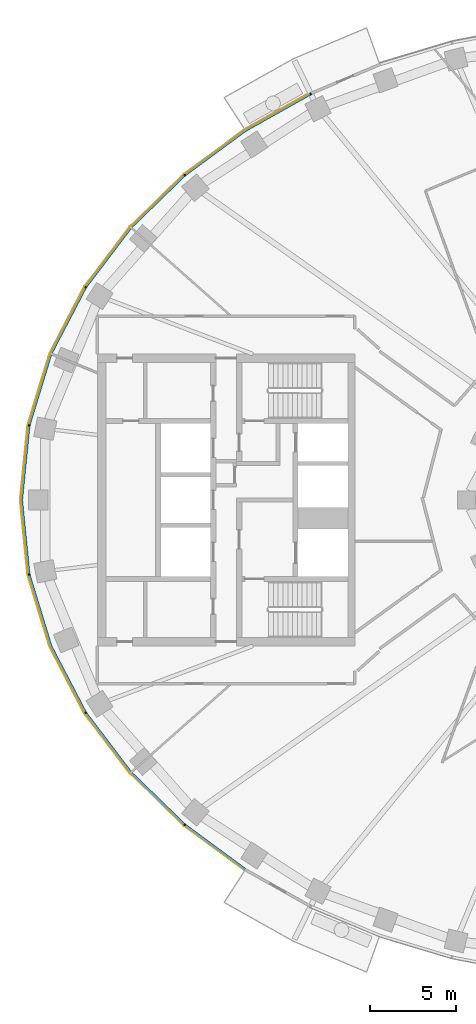
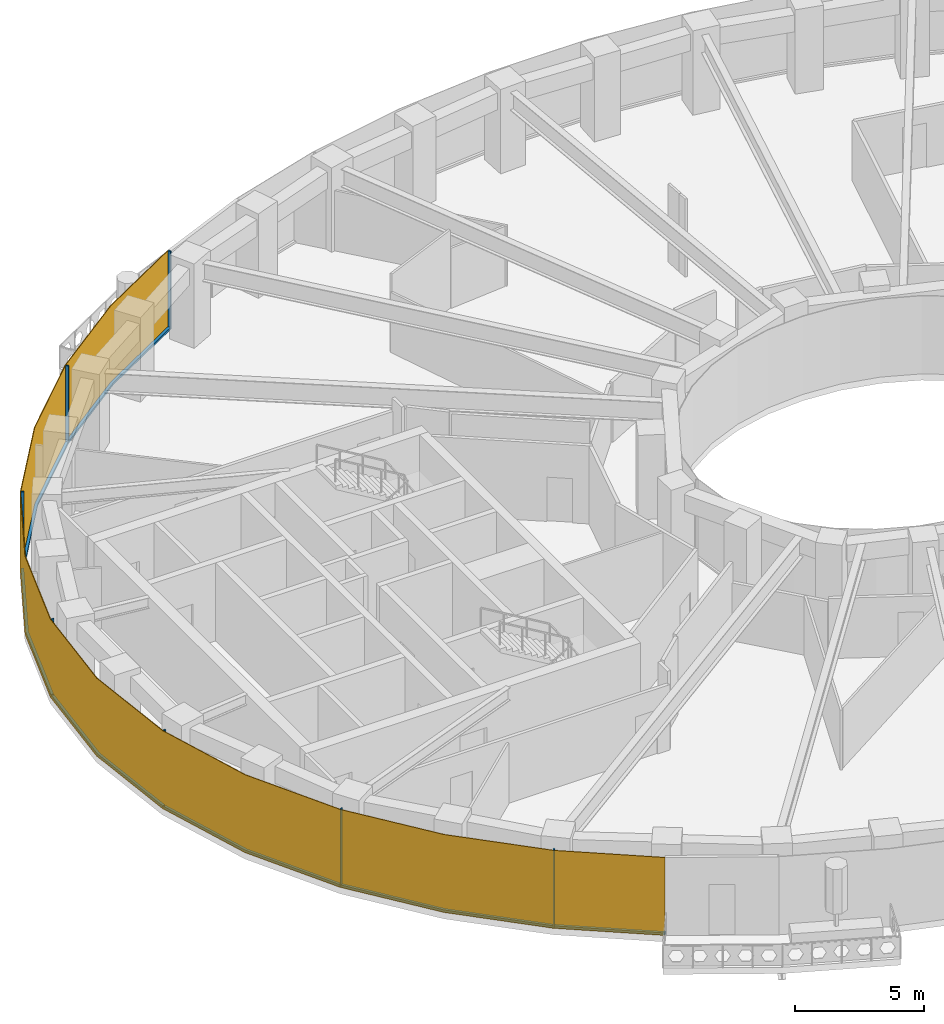
# One storey, part 8 of 15: 14 members, 1 curtain wall.
"""IFC4 building model written with IfcOpenShell, lengths in metres."""

from ifc_helpers import new_model, si_unit, direction, frame, origin, origin_2d, place, context, subcontext, project, spatial, polyline, rectangle, outline, extrude, material, layer, layer_set, material_profile, profile_set, type_object, element, aggregate, save


model = new_model("IFC4")

# Units and contexts
model_context = context("Model", 3, precision=1e-05, world=origin(), true_north=direction((0.0, 1.0)))
body_context = subcontext(model_context, "Body", "Model", "MODEL_VIEW")
ifc_project = project(units=[si_unit("LENGTHUNIT", "METRE"), si_unit("AREAUNIT", "SQUARE_METRE"), si_unit("VOLUMEUNIT", "CUBIC_METRE"), si_unit("PLANEANGLEUNIT", "RADIAN"), si_unit("MASSUNIT", "GRAM", prefix="KILO")], contexts=[model_context])

# Member
ifc_material_1 = material(Name="Aluminium 6063-T6 black anodised", Category="aluminium")
ifc_material_profile = material_profile(ifc_material_1, rectangle(XDim=0.1201171875, YDim=0.06005859375, at=origin_2d()), Name="120x60")
ifc_profile_set = profile_set([ifc_material_profile], Name="Aluminium 6063-T6 black anodised")
member_type_1 = type_object("IfcMemberType", Name="ENV-MULLION-A-120", PredefinedType="MULLION", material=ifc_profile_set)
site_placement = place(None, origin())
building_placement = place(site_placement, origin())
storey_placement = place(building_placement, frame((0.0, 0.0, 194.0)))
member_1_placement = place(storey_placement, frame((-19.06787109375, 23.6474609375, 0.0), z_axis=(0.0, 0.0, 1.0), x_axis=(0.439237769837, -0.898370848563, 0.0)))
member_1 = element("IfcMember", 1, at=member_1_placement, type_object=member_type_1, Name="Mullion A radial 17", PredefinedType="MULLION", context=body_context, shape_type="SweptSolid", body=[
    extrude(rectangle(XDim=0.1201171875, YDim=0.06005859375, at=origin_2d()), origin(), (0.0, 0.0, 1.0), 3.699951171875),
])

member_2_placement = place(storey_placement, frame((-26.403564453125, 18.9130859375, 0.0), z_axis=(0.0, 0.0, 1.0), x_axis=(0.646451313783, -0.762955240435, 0.0)))
member_2 = element("IfcMember", 2, at=member_2_placement, type_object=member_type_1, Name="Mullion A radial 19", PredefinedType="MULLION", context=body_context, shape_type="SweptSolid", body=[
    extrude(rectangle(XDim=0.1201171875, YDim=0.06005859375, at=origin_2d()), origin(), (0.0, 0.0, 1.0), 3.699951171875),
])

member_3_placement = place(storey_placement, frame((-32.177490234375, 12.385498046875, 0.0), z_axis=(0.0, 0.0, 1.0), x_axis=(0.844829880882, -0.53503501976, 0.0)))
member_3 = element("IfcMember", 3, at=member_3_placement, type_object=member_type_1, Name="Mullion A radial 21", PredefinedType="MULLION", context=body_context, shape_type="SweptSolid", body=[
    extrude(rectangle(XDim=0.1201171875, YDim=0.06005859375, at=origin_2d()), origin(), (0.0, 0.0, 1.0), 3.699951171875),
])

member_4_placement = place(storey_placement, frame((-35.470947265625, 4.340576171875, 0.0), z_axis=(0.0, 0.0, 1.0), x_axis=(0.980379083141, -0.19712141776, 0.0)))
member_4 = element("IfcMember", 4, at=member_4_placement, type_object=member_type_1, Name="Mullion A radial 23", PredefinedType="MULLION", context=body_context, shape_type="SweptSolid", body=[
    extrude(rectangle(XDim=0.1201171875, YDim=0.06005859375, at=origin_2d()), origin(), (0.0, 0.0, 1.0), 3.699951171875),
])

member_5_placement = place(storey_placement, frame((-35.470947265625, -4.340576171875, 0.0), z_axis=(0.0, 0.0, 1.0), x_axis=(0.980379083141, 0.19712141776, 0.0)))
member_5 = element("IfcMember", 5, at=member_5_placement, type_object=member_type_1, Name="Mullion A radial 25", PredefinedType="MULLION", context=body_context, shape_type="SweptSolid", body=[
    extrude(rectangle(XDim=0.1201171875, YDim=0.06005859375, at=origin_2d()), origin(), (0.0, 0.0, 1.0), 3.699951171875),
])

member_6_placement = place(storey_placement, frame((-32.177490234375, -12.385498046875, 0.0), z_axis=(0.0, 0.0, 1.0), x_axis=(0.844829880882, 0.53503501976, 0.0)))
member_6 = element("IfcMember", 6, at=member_6_placement, type_object=member_type_1, Name="Mullion A radial 27", PredefinedType="MULLION", context=body_context, shape_type="SweptSolid", body=[
    extrude(rectangle(XDim=0.1201171875, YDim=0.06005859375, at=origin_2d()), origin(), (0.0, 0.0, 1.0), 3.699951171875),
])

member_7_placement = place(storey_placement, frame((-26.403564453125, -18.9130859375, 0.0), z_axis=(0.0, 0.0, 1.0), x_axis=(0.646451313783, 0.762955240435, 0.0)))
member_7 = element("IfcMember", 7, at=member_7_placement, type_object=member_type_1, Name="Mullion A radial 29", PredefinedType="MULLION", context=body_context, shape_type="SweptSolid", body=[
    extrude(rectangle(XDim=0.1201171875, YDim=0.06005859375, at=origin_2d()), origin(), (0.0, 0.0, 1.0), 3.699951171875),
])

ifc_material_2 = material(Name="Aluminium 6063-T6 black anodised", Category="aluminium")
member_type_2 = type_object("IfcMemberType", Name="ENV-TRANSOM-A", PredefinedType="USERDEFINED", material=ifc_material_2)
member_8_placement = place(storey_placement, origin())
member_8 = element("IfcMember", 8, at=member_8_placement, type_object=member_type_2, Name="Transom A radial 17-19", ObjectType="TRANSOM", PredefinedType="USERDEFINED", context=body_context, shape_type="SweptSolid", body=[
    extrude(outline(polyline([(-19.11865234375, 23.687744140625), (-22.9150390625, 21.556884765625), (-26.419921875, 18.975341796875), (-26.342041015625, 18.883544921875), (-22.85009765625, 21.455810546875), (-19.06591796875, 23.57958984375), (-19.11865234375, 23.687744140625)])), origin(), (0.0, 0.0, 1.0), 0.10009765625),
])

member_9_placement = place(storey_placement, origin())
member_9 = element("IfcMember", 9, at=member_9_placement, type_object=member_type_2, Name="Transom A radial 19-21", ObjectType="TRANSOM", PredefinedType="USERDEFINED", context=body_context, shape_type="SweptSolid", body=[
    extrude(outline(polyline([(-26.46240234375, 18.939208984375), (-29.58349609375, 15.906982421875), (-32.211181640625, 12.43994140625), (-32.109375, 12.37548828125), (-29.493408203125, 15.8271484375), (-26.384765625, 18.847412109375), (-26.46240234375, 18.939208984375)])), origin(), (0.0, 0.0, 1.0), 0.10009765625),
])

member_10_placement = place(storey_placement, origin())
member_10 = element("IfcMember", 10, at=member_10_placement, type_object=member_type_2, Name="Transom A radial 21-23", ObjectType="TRANSOM", PredefinedType="USERDEFINED", context=body_context, shape_type="SweptSolid", body=[
    extrude(outline(polyline([(-32.240966796875, 12.392578125), (-34.251220703125, 8.53662109375), (-35.521484375, 4.379150390625), (-35.4033203125, 4.355224609375), (-34.139892578125, 8.490966796875), (-32.139404296875, 12.328369140625), (-32.240966796875, 12.392578125)])), origin(), (0.0, 0.0, 1.0), 0.10009765625),
])

member_11_placement = place(storey_placement, origin())
member_11 = element("IfcMember", 11, at=member_11_placement, type_object=member_type_2, Name="Transom A radial 23-25", ObjectType="TRANSOM", PredefinedType="USERDEFINED", context=body_context, shape_type="SweptSolid", body=[
    extrude(outline(polyline([(-35.532470703125, 4.324462890625), (-35.9677734375, 0.0), (-35.532470703125, -4.324462890625), (-35.414306640625, -4.30078125), (-35.84716796875, 0.0), (-35.414306640625, 4.30078125), (-35.532470703125, 4.324462890625)])), origin(), (0.0, 0.0, 1.0), 0.10009765625),
])

member_12_placement = place(storey_placement, origin())
member_12 = element("IfcMember", 12, at=member_12_placement, type_object=member_type_2, Name="Transom A radial 25-27", ObjectType="TRANSOM", PredefinedType="USERDEFINED", context=body_context, shape_type="SweptSolid", body=[
    extrude(outline(polyline([(-35.521484375, -4.379150390625), (-34.251220703125, -8.53662109375), (-32.240966796875, -12.392578125), (-32.139404296875, -12.328369140625), (-34.139892578125, -8.490966796875), (-35.4033203125, -4.355224609375), (-35.521484375, -4.379150390625)])), origin(), (0.0, 0.0, 1.0), 0.10009765625),
])

member_13_placement = place(storey_placement, origin())
member_13 = element("IfcMember", 13, at=member_13_placement, type_object=member_type_2, Name="Transom A radial 27-29", ObjectType="TRANSOM", PredefinedType="USERDEFINED", context=body_context, shape_type="SweptSolid", body=[
    extrude(outline(polyline([(-32.211181640625, -12.43994140625), (-29.58349609375, -15.906982421875), (-26.46240234375, -18.939208984375), (-26.384765625, -18.847412109375), (-29.493408203125, -15.8271484375), (-32.109375, -12.37548828125), (-32.211181640625, -12.43994140625)])), origin(), (0.0, 0.0, 1.0), 0.10009765625),
])

member_14_placement = place(storey_placement, origin())
member_14 = element("IfcMember", 14, at=member_14_placement, type_object=member_type_2, Name="Transom A radial 29-30", ObjectType="TRANSOM", PredefinedType="USERDEFINED", context=body_context, shape_type="SweptSolid", body=[
    extrude(outline(polyline([(-26.419921875, -18.975341796875), (-22.931396484375, -21.544921875), (-22.8662109375, -21.444091796875), (-26.342041015625, -18.883544921875), (-26.419921875, -18.975341796875)])), origin(), (0.0, 0.0, 1.0), 0.10009765625),
])

# Site, building, storey
site = spatial("IfcSite", under=ifc_project, at=site_placement, CompositionType="ELEMENT")
building = spatial("IfcBuilding", under=site, at=building_placement, Name="Noorbagh Ring Tower", CompositionType="ELEMENT")
storey = spatial("IfcBuildingStorey", under=building, at=storey_placement, Name="L45", CompositionType="ELEMENT", Elevation=194.0)

# Curtain wall
ifc_material_3 = material(Name="Glass dark tinted laminated", Category="glass")
ifc_layer = layer(ifc_material_3, 0.031982421875)
ifc_layer_set = layer_set([ifc_layer], Name="Glass dark tinted laminated")
curtain_wall_type = type_object("IfcCurtainWallType", Name="ENV-CW-A", PredefinedType="NOTDEFINED", material=ifc_layer_set)
curtain_wall_placement = place(storey_placement, origin())
curtain_wall = element("IfcCurtainWall", 15, at=curtain_wall_placement, inside=storey, type_object=curtain_wall_type, Name="Curtain wall A R17", PredefinedType="NOTDEFINED", context=body_context, shape_type="SweptSolid", body=[
    extrude(outline(polyline([(-19.125732421875, 23.720458984375), (-22.9326171875, 21.583740234375), (-26.463134765625, 18.9833984375), (-29.607666015625, 15.927978515625), (-32.255126953125, 12.434814453125), (-34.281005859375, 8.548828125), (-35.561279296875, 4.358642578125), (-36.0, 0.0), (-35.561279296875, -4.358642578125), (-34.281005859375, -8.548828125), (-32.255126953125, -12.434814453125), (-29.607666015625, -15.927978515625), (-26.463134765625, -18.9833984375), (-22.948486328125, -21.572021484375), (-22.931396484375, -21.544921875), (-26.4423828125, -18.958740234375), (-29.58349609375, -15.906982421875), (-32.22802734375, -12.41748046875), (-34.251220703125, -8.53662109375), (-35.529541015625, -4.352294921875), (-35.9677734375, 0.0), (-35.529541015625, 4.352294921875), (-34.251220703125, 8.53662109375), (-32.22802734375, 12.41748046875), (-29.58349609375, 15.906982421875), (-26.4423828125, 18.958740234375), (-22.9150390625, 21.556884765625), (-19.111572265625, 23.691650390625), (-19.125732421875, 23.720458984375)])), origin(), (0.0, 0.0, 1.0), 3.699951171875),
])

aggregate(curtain_wall, [member_1, member_2, member_3, member_4, member_5, member_6, member_7, member_8, member_9, member_10, member_11, member_12, member_13, member_14])

save(model, "model.ifc")
